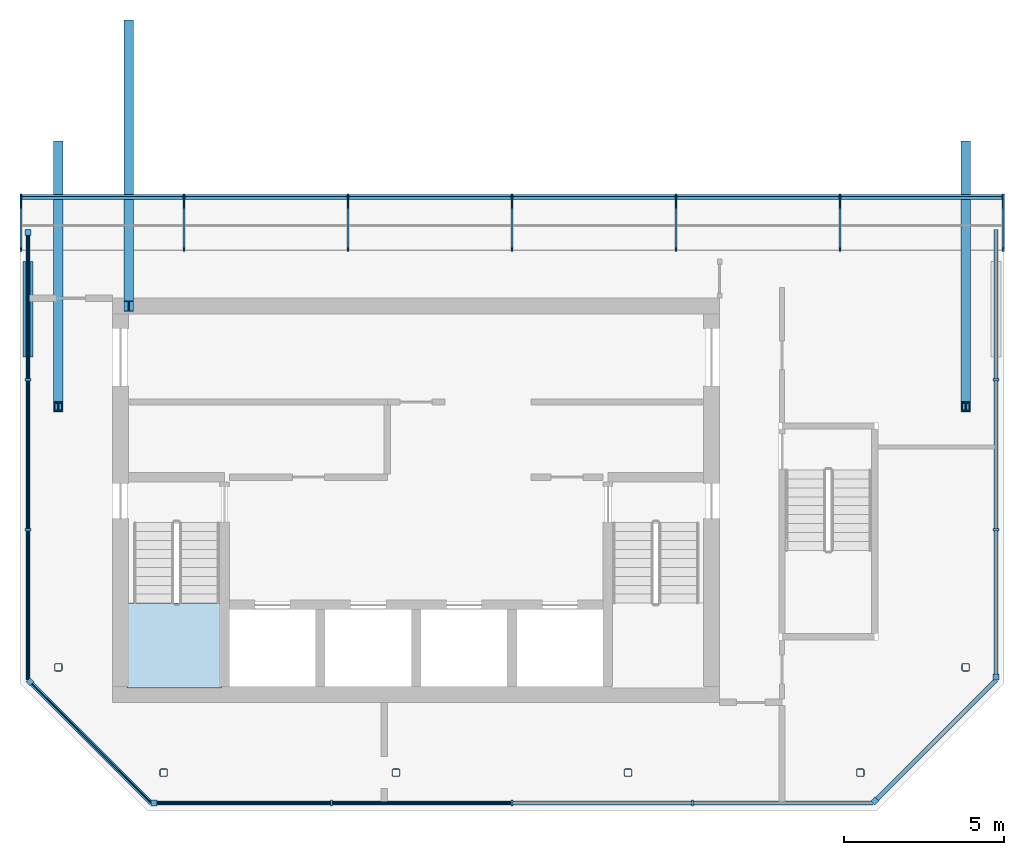
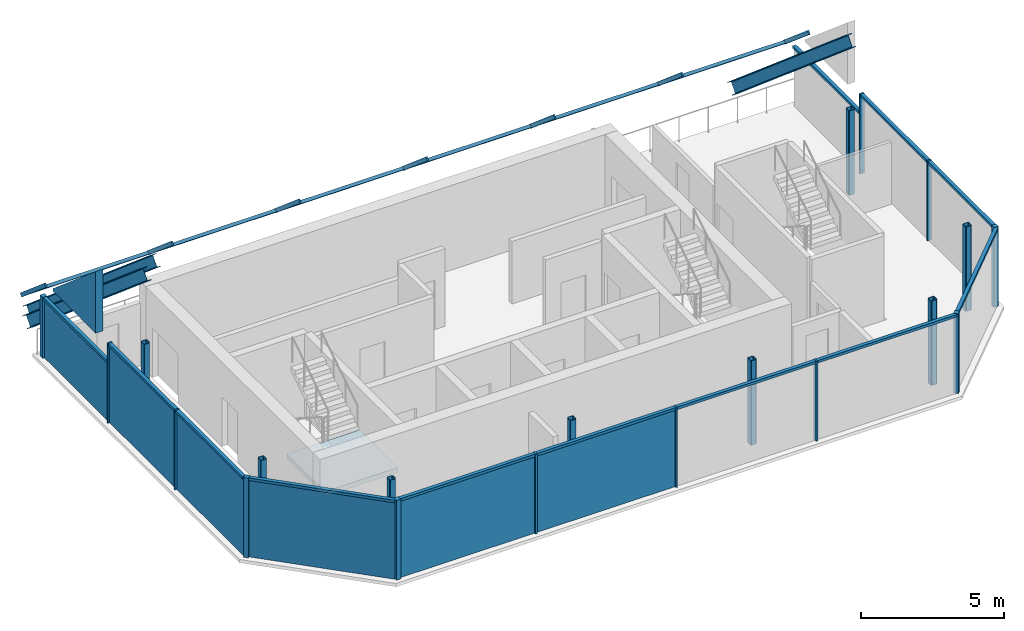
# One storey, part 1 of 4: 38 members, 8 columns, 7 plates, 2 beams, 1 slab, 7 elements without a shape of their own.
"""IFC4 building model written with IfcOpenShell, lengths in metres."""

from ifc_helpers import new_model, si_unit, direction, frame, origin, origin_2d, place, context, subcontext, project, spatial, polyline, rectangle, hollow_rectangle, i_section, outline, extrude, material, layer, layer_set, material_profile, profile_set, type_object, element, aggregate, save


model = new_model("IFC4")

# Units and contexts
model_context = context("Model", 3, precision=1e-05, world=origin(), true_north=direction((0.0, 1.0)))
body_context = subcontext(model_context, "Body", "Model", "MODEL_VIEW")
ifc_project = project(units=[si_unit("LENGTHUNIT", "METRE"), si_unit("AREAUNIT", "SQUARE_METRE"), si_unit("VOLUMEUNIT", "CUBIC_METRE"), si_unit("PLANEANGLEUNIT", "RADIAN"), si_unit("MASSUNIT", "GRAM", prefix="KILO")], contexts=[model_context])

# Site, building, storey
site_placement = place(None, origin())
site = spatial("IfcSite", under=ifc_project, at=site_placement, CompositionType="ELEMENT")
building_placement = place(site_placement, origin())
building = spatial("IfcBuilding", under=site, at=building_placement, Name="Tskaro Facet Tower", CompositionType="ELEMENT")
storey_placement = place(building_placement, frame((0.0, 0.0, 308.10009765625)))
storey = spatial("IfcBuildingStorey", under=building, at=storey_placement, Name="L83", CompositionType="ELEMENT", Elevation=308.10009765625)

# Columns
ifc_material_1 = material(Name="Steel S355J2H", Category="steel")
ifc_material_profile_1 = material_profile(ifc_material_1, hollow_rectangle(XDim=0.25, YDim=0.25, WallThickness=0.02001953125, InnerFilletRadius=0.030029296875, OuterFilletRadius=0.050048828125, at=origin_2d()), Name="SHS 250x250x20")
ifc_profile_set_1 = profile_set([ifc_material_profile_1], Name="Steel S355J2H")
column_type = type_object("IfcColumnType", Name="SHS 250x250x20 ring column", PredefinedType="COLUMN", material=ifc_profile_set_1)
for number, where, z_axis, x_axis, name in (
    (1, (-7.903076171875, -14.199951171875, 0.0), (0.0, 0.0, 1.0), (1.0, 0.0, 0.0), "SHS 250x250x20 RS-1/6"),
    (2, (-0.634033203125, -14.199951171875, 0.0), (0.0, 0.0, 1.0), (1.0, 0.0, 0.0), "SHS 250x250x20 RS-2/6"),
    (3, (6.634033203125, -14.199951171875, 0.0), (0.0, 0.0, 1.0), (1.0, 0.0, 0.0), "SHS 250x250x20 RS-3/6"),
    (4, (13.903076171875, -14.199951171875, 0.0), (0.0, 0.0, 1.0), (1.0, 0.0, 0.0), "SHS 250x250x20 RSE-1/6"),
    (5, (17.199951171875, -10.903076171875, 0.0), (0.0, 0.0, 1.0), (1.0, 0.0, 0.0), "SHS 250x250x20 RE-1/6"),
    (6, (17.199951171875, -2.75, 0.0), (0.0, 0.0, 1.0), (1.0, 0.0, 0.0), "SHS 250x250x20 RE-2/6"),
    (7, (-11.199951171875, -2.75, 0.0), (0.0, 0.0, 1.0), (1.0, 0.0, 0.0), "SHS 250x250x20 RW-2/6"),
    (8, (-11.199951171875, -10.903076171875, 0.0), (0.0, 0.0, 1.0), (1.0, 0.0, 0.0), "SHS 250x250x20 RSW-1/6"),
):
    element("IfcColumn", number, at=place(storey_placement, frame(where, z_axis=z_axis, x_axis=x_axis)), inside=storey, type_object=column_type, Name=name, PredefinedType="COLUMN", context=body_context, shape_type="SweptSolid", body=[
        extrude(hollow_rectangle(XDim=0.25, YDim=0.25, WallThickness=0.02001953125, InnerFilletRadius=0.030029296875, OuterFilletRadius=0.050048828125, at=origin_2d()), origin(), (0.0, 0.0, 1.0), 3.599853515625),
    ])

# Curtain wall, member
ifc_material_2 = material(Name="Bronze anodised aluminium 6063-T6", Category="aluminium")
curtain_wall_type_1 = type_object("IfcCurtainWallType", Name="Bronze crown curtain wall (FW5)", PredefinedType="NOTDEFINED", material=ifc_material_2)
curtain_wall_1_placement = place(storey_placement, origin())
curtain_wall_1 = element("IfcCurtainWall", 9, at=curtain_wall_1_placement, inside=storey, type_object=curtain_wall_type_1, Name="FW5 south facet L83", PredefinedType="NOTDEFINED")
ifc_material_profile_2 = material_profile(ifc_material_2, rectangle(XDim=0.179931640625, YDim=0.179931640625, at=origin_2d()), Name="Corner post 180x180")
ifc_profile_set_2 = profile_set([ifc_material_profile_2], Name="Bronze anodised aluminium 6063-T6")
member_type_1 = type_object("IfcMemberType", Name="FW5 bronze corner post 180x180", PredefinedType="MULLION", material=ifc_profile_set_2)
member_1_placement = place(storey_placement, frame((-8.2060546875, -15.14990234375, 0.0), z_axis=(0.0, 0.0, 1.0), x_axis=(1.0, 0.0, 0.0)))
member_1 = element("IfcMember", 10, at=member_1_placement, type_object=member_type_1, Name="FW5 south corner post", PredefinedType="MULLION", context=body_context, shape_type="SweptSolid", body=[
    extrude(rectangle(XDim=0.179931640625, YDim=0.179931640625, at=origin_2d()), origin(), (0.0, 0.0, 1.0), 3.39990234375),
])

curtain_wall_2_placement = place(storey_placement, origin())
curtain_wall_2 = element("IfcCurtainWall", 11, at=curtain_wall_2_placement, inside=storey, type_object=curtain_wall_type_1, Name="FW5 south-east facet L83", PredefinedType="NOTDEFINED")
member_2_placement = place(storey_placement, frame((14.359619140625, -15.08642578125, 0.0), z_axis=(0.0, 0.0, 1.0), x_axis=(0.707106781187, 0.707106781187, 0.0)))
member_2 = element("IfcMember", 12, at=member_2_placement, type_object=member_type_1, Name="FW5 south-east corner post", PredefinedType="MULLION", context=body_context, shape_type="SweptSolid", body=[
    extrude(rectangle(XDim=0.179931640625, YDim=0.179931640625, at=origin_2d()), origin(), (0.0, 0.0, 1.0), 3.39990234375),
])

curtain_wall_3_placement = place(storey_placement, origin())
curtain_wall_3 = element("IfcCurtainWall", 13, at=curtain_wall_3_placement, inside=storey, type_object=curtain_wall_type_1, Name="FW5 east facet L83", PredefinedType="NOTDEFINED")
member_3_placement = place(storey_placement, frame((18.14990234375, -11.2060546875, 0.0), z_axis=(0.0, 0.0, 1.0), x_axis=(0.0, 1.0, 0.0)))
member_3 = element("IfcMember", 14, at=member_3_placement, type_object=member_type_1, Name="FW5 east corner post", PredefinedType="MULLION", context=body_context, shape_type="SweptSolid", body=[
    extrude(rectangle(XDim=0.179931640625, YDim=0.179931640625, at=origin_2d()), origin(), (0.0, 0.0, 1.0), 3.39990234375),
])

curtain_wall_4_placement = place(storey_placement, origin())
curtain_wall_4 = element("IfcCurtainWall", 15, at=curtain_wall_4_placement, inside=storey, type_object=curtain_wall_type_1, Name="FW5 west facet L83", PredefinedType="NOTDEFINED")
member_4_placement = place(storey_placement, frame((-12.14990234375, 2.70703125, 0.0), z_axis=(0.0, 0.0, 1.0), x_axis=(0.0, -1.0, 0.0)))
member_4 = element("IfcMember", 16, at=member_4_placement, type_object=member_type_1, Name="FW5 west corner post", PredefinedType="MULLION", context=body_context, shape_type="SweptSolid", body=[
    extrude(rectangle(XDim=0.179931640625, YDim=0.179931640625, at=origin_2d()), origin(), (0.0, 0.0, 1.0), 2.599853515625),
])

curtain_wall_5_placement = place(storey_placement, origin())
curtain_wall_5 = element("IfcCurtainWall", 17, at=curtain_wall_5_placement, inside=storey, type_object=curtain_wall_type_1, Name="FW5 south-west facet L83", PredefinedType="NOTDEFINED")
member_5_placement = place(storey_placement, frame((-12.08642578125, -11.359619140625, 0.0), z_axis=(0.0, 0.0, 1.0), x_axis=(0.707106781187, -0.707106781187, 0.0)))
member_5 = element("IfcMember", 18, at=member_5_placement, type_object=member_type_1, Name="FW5 south-west corner post", PredefinedType="MULLION", context=body_context, shape_type="SweptSolid", body=[
    extrude(rectangle(XDim=0.179931640625, YDim=0.179931640625, at=origin_2d()), origin(), (0.0, 0.0, 1.0), 3.39990234375),
])

# Member
ifc_material_profile_3 = material_profile(ifc_material_2, rectangle(XDim=0.070068359375, YDim=0.179931640625, at=origin_2d()), Name="Mullion 70x180")
ifc_profile_set_3 = profile_set([ifc_material_profile_3], Name="Bronze anodised aluminium 6063-T6")
member_type_2 = type_object("IfcMemberType", Name="FW5 bronze mullion 70x180", PredefinedType="MULLION", material=ifc_profile_set_3)
member_6_placement = place(storey_placement, frame((-2.64794921875, -15.14990234375, 0.0), z_axis=(0.0, 0.0, 1.0), x_axis=(1.0, 0.0, 0.0)))
member_6 = element("IfcMember", 19, at=member_6_placement, type_object=member_type_2, Name="FW5 south mullion 1", PredefinedType="MULLION", context=body_context, shape_type="SweptSolid", body=[
    extrude(rectangle(XDim=0.070068359375, YDim=0.179931640625, at=origin_2d()), origin(), (0.0, 0.0, 1.0), 3.39990234375),
])

member_7_placement = place(storey_placement, frame((3.0, -15.14990234375, 0.0), z_axis=(0.0, 0.0, 1.0), x_axis=(1.0, 0.0, 0.0)))
member_7 = element("IfcMember", 20, at=member_7_placement, type_object=member_type_2, Name="FW5 south mullion 2", PredefinedType="MULLION", context=body_context, shape_type="SweptSolid", body=[
    extrude(rectangle(XDim=0.070068359375, YDim=0.179931640625, at=origin_2d()), origin(), (0.0, 0.0, 1.0), 3.39990234375),
])

member_8_placement = place(storey_placement, frame((8.64794921875, -15.14990234375, 0.0), z_axis=(0.0, 0.0, 1.0), x_axis=(1.0, 0.0, 0.0)))
member_8 = element("IfcMember", 21, at=member_8_placement, type_object=member_type_2, Name="FW5 south mullion 3", PredefinedType="MULLION", context=body_context, shape_type="SweptSolid", body=[
    extrude(rectangle(XDim=0.070068359375, YDim=0.179931640625, at=origin_2d()), origin(), (0.0, 0.0, 1.0), 3.39990234375),
])

member_9_placement = place(storey_placement, frame((18.14990234375, -6.598388671875, 0.0), z_axis=(0.0, 0.0, 1.0), x_axis=(0.0, 1.0, 0.0)))
member_9 = element("IfcMember", 22, at=member_9_placement, type_object=member_type_2, Name="FW5 east mullion 1", PredefinedType="MULLION", context=body_context, shape_type="SweptSolid", body=[
    extrude(rectangle(XDim=0.070068359375, YDim=0.179931640625, at=origin_2d()), origin(), (0.0, 0.0, 1.0), 3.39990234375),
])

member_10_placement = place(storey_placement, frame((18.14990234375, -1.900634765625, 0.0), z_axis=(0.0, 0.0, 1.0), x_axis=(0.0, 1.0, 0.0)))
member_10 = element("IfcMember", 23, at=member_10_placement, type_object=member_type_2, Name="FW5 east mullion 2", PredefinedType="MULLION", context=body_context, shape_type="SweptSolid", body=[
    extrude(rectangle(XDim=0.070068359375, YDim=0.179931640625, at=origin_2d()), origin(), (0.0, 0.0, 1.0), 3.39990234375),
])

member_11_placement = place(storey_placement, frame((-12.14990234375, -1.900634765625, 0.0), z_axis=(0.0, 0.0, 1.0), x_axis=(0.0, -1.0, 0.0)))
member_11 = element("IfcMember", 24, at=member_11_placement, type_object=member_type_2, Name="FW5 west mullion 1", PredefinedType="MULLION", context=body_context, shape_type="SweptSolid", body=[
    extrude(rectangle(XDim=0.070068359375, YDim=0.179931640625, at=origin_2d()), origin(), (0.0, 0.0, 1.0), 3.39990234375),
])

member_12_placement = place(storey_placement, frame((-12.14990234375, -6.598388671875, 0.0), z_axis=(0.0, 0.0, 1.0), x_axis=(0.0, -1.0, 0.0)))
member_12 = element("IfcMember", 25, at=member_12_placement, type_object=member_type_2, Name="FW5 west mullion 2", PredefinedType="MULLION", context=body_context, shape_type="SweptSolid", body=[
    extrude(rectangle(XDim=0.070068359375, YDim=0.179931640625, at=origin_2d()), origin(), (0.0, 0.0, 1.0), 3.39990234375),
])

ifc_material_profile_4 = material_profile(ifc_material_2, rectangle(XDim=0.139892578125, YDim=0.110107421875, at=origin_2d()), Name="Transom 140x110")
ifc_profile_set_4 = profile_set([ifc_material_profile_4], Name="Bronze anodised aluminium 6063-T6")
member_type_3 = type_object("IfcMemberType", Name="FW5 bronze transom 140x110", PredefinedType="USERDEFINED", material=ifc_profile_set_4)
member_13_placement = place(storey_placement, frame((-8.115966796875, -15.14990234375, 3.344970703125), z_axis=(1.0, 0.0, 0.0), x_axis=(0.0, 1.0, 0.0)))
member_13 = element("IfcMember", 26, at=member_13_placement, type_object=member_type_3, Name="FW5 south transom 1.1", ObjectType="TRANSOM", PredefinedType="USERDEFINED", context=body_context, shape_type="SweptSolid", body=[
    extrude(rectangle(XDim=0.139892578125, YDim=0.110107421875, at=origin_2d()), origin(), (0.0, 0.0, 1.0), 5.432861328125),
])

member_14_placement = place(storey_placement, frame((-2.613037109375, -15.14990234375, 3.344970703125), z_axis=(1.0, 0.0, 0.0), x_axis=(0.0, 1.0, 0.0)))
member_14 = element("IfcMember", 27, at=member_14_placement, type_object=member_type_3, Name="FW5 south transom 2.1", ObjectType="TRANSOM", PredefinedType="USERDEFINED", context=body_context, shape_type="SweptSolid", body=[
    extrude(rectangle(XDim=0.139892578125, YDim=0.110107421875, at=origin_2d()), origin(), (0.0, 0.0, 1.0), 5.578125),
])

member_15_placement = place(storey_placement, frame((3.034912109375, -15.14990234375, 3.344970703125), z_axis=(1.0, 0.0, 0.0), x_axis=(0.0, 1.0, 0.0)))
member_15 = element("IfcMember", 28, at=member_15_placement, type_object=member_type_3, Name="FW5 south transom 3.1", ObjectType="TRANSOM", PredefinedType="USERDEFINED", context=body_context, shape_type="SweptSolid", body=[
    extrude(rectangle(XDim=0.139892578125, YDim=0.110107421875, at=origin_2d()), origin(), (0.0, 0.0, 1.0), 5.578125),
])

member_16_placement = place(storey_placement, frame((8.68310546875, -15.14990234375, 3.344970703125), z_axis=(1.0, 0.0, 0.0), x_axis=(0.0, 1.0, 0.0)))
member_16 = element("IfcMember", 29, at=member_16_placement, type_object=member_type_3, Name="FW5 south transom 4.1", ObjectType="TRANSOM", PredefinedType="USERDEFINED", context=body_context, shape_type="SweptSolid", body=[
    extrude(rectangle(XDim=0.139892578125, YDim=0.110107421875, at=origin_2d()), origin(), (0.0, 0.0, 1.0), 5.61279296875),
])

member_17_placement = place(storey_placement, frame((14.42333984375, -15.022705078125, 3.344970703125), z_axis=(0.707083619001, 0.707129942613, 0.0), x_axis=(-0.707129942613, 0.707083619001, 0.0)))
member_17 = element("IfcMember", 30, at=member_17_placement, type_object=member_type_3, Name="FW5 south-east transom 1.1", ObjectType="TRANSOM", PredefinedType="USERDEFINED", context=body_context, shape_type="SweptSolid", body=[
    extrude(rectangle(XDim=0.139892578125, YDim=0.110107421875, at=origin_2d()), origin(), (0.0, 0.0, 1.0), 5.270263671875),
])

aggregate(curtain_wall_2, [member_2, member_17])

member_18_placement = place(storey_placement, frame((18.14990234375, -11.115966796875, 3.344970703125), z_axis=(0.0, 1.0, 0.0), x_axis=(-1.0, 0.0, 0.0)))
member_18 = element("IfcMember", 31, at=member_18_placement, type_object=member_type_3, Name="FW5 east transom 1.1", ObjectType="TRANSOM", PredefinedType="USERDEFINED", context=body_context, shape_type="SweptSolid", body=[
    extrude(rectangle(XDim=0.139892578125, YDim=0.110107421875, at=origin_2d()), origin(), (0.0, 0.0, 1.0), 4.482666015625),
])

member_19_placement = place(storey_placement, frame((18.14990234375, -6.563232421875, 3.344970703125), z_axis=(0.0, 1.0, 0.0), x_axis=(-1.0, 0.0, 0.0)))
member_19 = element("IfcMember", 32, at=member_19_placement, type_object=member_type_3, Name="FW5 east transom 2.1", ObjectType="TRANSOM", PredefinedType="USERDEFINED", context=body_context, shape_type="SweptSolid", body=[
    extrude(rectangle(XDim=0.139892578125, YDim=0.110107421875, at=origin_2d()), origin(), (0.0, 0.0, 1.0), 4.627685546875),
])

member_20_placement = place(storey_placement, frame((18.14990234375, -1.86572265625, 2.544921875), z_axis=(0.0, 1.0, 0.0), x_axis=(-1.0, 0.0, 0.0)))
member_20 = element("IfcMember", 33, at=member_20_placement, type_object=member_type_3, Name="FW5 east transom 3.1", ObjectType="TRANSOM", PredefinedType="USERDEFINED", context=body_context, shape_type="SweptSolid", body=[
    extrude(rectangle(XDim=0.139892578125, YDim=0.110107421875, at=origin_2d()), origin(), (0.0, 0.0, 1.0), 4.662841796875),
])

aggregate(curtain_wall_3, [member_3, member_9, member_10, member_18, member_19, member_20])

member_21_placement = place(storey_placement, frame((-12.14990234375, 2.616943359375, 2.544921875), z_axis=(0.0, -1.0, 0.0), x_axis=(1.0, 0.0, 0.0)))
member_21 = element("IfcMember", 34, at=member_21_placement, type_object=member_type_3, Name="FW5 west transom 1.1", ObjectType="TRANSOM", PredefinedType="USERDEFINED", context=body_context, shape_type="SweptSolid", body=[
    extrude(rectangle(XDim=0.139892578125, YDim=0.110107421875, at=origin_2d()), origin(), (0.0, 0.0, 1.0), 4.482666015625),
])

member_22_placement = place(storey_placement, frame((-12.14990234375, -1.935546875, 3.344970703125), z_axis=(0.0, -1.0, 0.0), x_axis=(1.0, 0.0, 0.0)))
member_22 = element("IfcMember", 35, at=member_22_placement, type_object=member_type_3, Name="FW5 west transom 2.1", ObjectType="TRANSOM", PredefinedType="USERDEFINED", context=body_context, shape_type="SweptSolid", body=[
    extrude(rectangle(XDim=0.139892578125, YDim=0.110107421875, at=origin_2d()), origin(), (0.0, 0.0, 1.0), 4.627685546875),
])

member_23_placement = place(storey_placement, frame((-12.14990234375, -6.63330078125, 3.344970703125), z_axis=(0.0, -1.0, 0.0), x_axis=(1.0, 0.0, 0.0)))
member_23 = element("IfcMember", 36, at=member_23_placement, type_object=member_type_3, Name="FW5 west transom 3.1", ObjectType="TRANSOM", PredefinedType="USERDEFINED", context=body_context, shape_type="SweptSolid", body=[
    extrude(rectangle(XDim=0.139892578125, YDim=0.110107421875, at=origin_2d()), origin(), (0.0, 0.0, 1.0), 4.66259765625),
])

member_24_placement = place(storey_placement, frame((-12.022705078125, -11.42333984375, 3.344970703125), z_axis=(0.707129942613, -0.707083619001, 0.0), x_axis=(0.707083619001, 0.707129942613, 0.0)))
member_24 = element("IfcMember", 37, at=member_24_placement, type_object=member_type_3, Name="FW5 south-west transom 1.1", ObjectType="TRANSOM", PredefinedType="USERDEFINED", context=body_context, shape_type="SweptSolid", body=[
    extrude(rectangle(XDim=0.139892578125, YDim=0.110107421875, at=origin_2d()), origin(), (0.0, 0.0, 1.0), 5.270263671875),
])

# Curtain wall, members
curtain_wall_type_2 = type_object("IfcCurtainWallType", Name="Bronze crown roof glazing (FW6)", PredefinedType="NOTDEFINED", material=ifc_material_2)
curtain_wall_6_placement = place(storey_placement, origin())
curtain_wall_6 = element("IfcCurtainWall", 38, at=curtain_wall_6_placement, inside=storey, type_object=curtain_wall_type_2, Name="FW6 roof glazing strip 5", PredefinedType="NOTDEFINED")
ifc_material_profile_5 = material_profile(ifc_material_2, rectangle(XDim=0.06005859375, YDim=0.159912109375, at=origin_2d()), Name="Mullion 60x160")
ifc_profile_set_5 = profile_set([ifc_material_profile_5], Name="Bronze anodised aluminium 6063-T6")
member_type_4 = type_object("IfcMemberType", Name="FW6 bronze mullion 60x160", PredefinedType="MULLION", material=ifc_profile_set_5)
member_25_placement = place(storey_placement, frame((-12.3701171875, 2.166748046875, 3.4482421875), z_axis=(0.0, 0.761915018562, -0.6476770063), x_axis=(-1.0, 0.0, 0.0)))
member_25 = element("IfcMember", 39, at=member_25_placement, type_object=member_type_4, Name="FW6 roof mullion 5.1", PredefinedType="MULLION", context=body_context, shape_type="SweptSolid", body=[
    extrude(rectangle(XDim=0.06005859375, YDim=0.159912109375, at=origin_2d()), origin(), (0.0, 0.0, 1.0), 2.231201171875),
])
member_26_placement = place(storey_placement, frame((-7.2666015625, 2.166748046875, 3.4482421875), z_axis=(0.0, 0.761915018562, -0.6476770063), x_axis=(-1.0, 0.0, 0.0)))
member_26 = element("IfcMember", 40, at=member_26_placement, type_object=member_type_4, Name="FW6 roof mullion 5.2", PredefinedType="MULLION", context=body_context, shape_type="SweptSolid", body=[
    extrude(rectangle(XDim=0.06005859375, YDim=0.159912109375, at=origin_2d()), origin(), (0.0, 0.0, 1.0), 2.231201171875),
])
member_27_placement = place(storey_placement, frame((-2.13330078125, 2.166748046875, 3.4482421875), z_axis=(0.0, 0.761915018562, -0.6476770063), x_axis=(-1.0, 0.0, 0.0)))
member_27 = element("IfcMember", 41, at=member_27_placement, type_object=member_type_4, Name="FW6 roof mullion 5.3", PredefinedType="MULLION", context=body_context, shape_type="SweptSolid", body=[
    extrude(rectangle(XDim=0.06005859375, YDim=0.159912109375, at=origin_2d()), origin(), (0.0, 0.0, 1.0), 2.231201171875),
])
member_28_placement = place(storey_placement, frame((3.0, 2.166748046875, 3.4482421875), z_axis=(0.0, 0.761915018562, -0.6476770063), x_axis=(-1.0, 0.0, 0.0)))
member_28 = element("IfcMember", 42, at=member_28_placement, type_object=member_type_4, Name="FW6 roof mullion 5.4", PredefinedType="MULLION", context=body_context, shape_type="SweptSolid", body=[
    extrude(rectangle(XDim=0.06005859375, YDim=0.159912109375, at=origin_2d()), origin(), (0.0, 0.0, 1.0), 2.231201171875),
])
member_29_placement = place(storey_placement, frame((8.13330078125, 2.166748046875, 3.4482421875), z_axis=(0.0, 0.761915018562, -0.6476770063), x_axis=(-1.0, 0.0, 0.0)))
member_29 = element("IfcMember", 43, at=member_29_placement, type_object=member_type_4, Name="FW6 roof mullion 5.5", PredefinedType="MULLION", context=body_context, shape_type="SweptSolid", body=[
    extrude(rectangle(XDim=0.06005859375, YDim=0.159912109375, at=origin_2d()), origin(), (0.0, 0.0, 1.0), 2.231201171875),
])
member_30_placement = place(storey_placement, frame((13.2666015625, 2.166748046875, 3.4482421875), z_axis=(0.0, 0.761915018562, -0.6476770063), x_axis=(-1.0, 0.0, 0.0)))
member_30 = element("IfcMember", 44, at=member_30_placement, type_object=member_type_4, Name="FW6 roof mullion 5.6", PredefinedType="MULLION", context=body_context, shape_type="SweptSolid", body=[
    extrude(rectangle(XDim=0.06005859375, YDim=0.159912109375, at=origin_2d()), origin(), (0.0, 0.0, 1.0), 2.231201171875),
])
member_31_placement = place(storey_placement, frame((18.3701171875, 2.166748046875, 3.4482421875), z_axis=(0.0, 0.761915018562, -0.6476770063), x_axis=(-1.0, 0.0, 0.0)))
member_31 = element("IfcMember", 45, at=member_31_placement, type_object=member_type_4, Name="FW6 roof mullion 5.7", PredefinedType="MULLION", context=body_context, shape_type="SweptSolid", body=[
    extrude(rectangle(XDim=0.06005859375, YDim=0.159912109375, at=origin_2d()), origin(), (0.0, 0.0, 1.0), 2.231201171875),
])
ifc_material_profile_6 = material_profile(ifc_material_2, rectangle(XDim=0.1201171875, YDim=0.10009765625, at=origin_2d()), Name="Transom 120x100")
ifc_profile_set_6 = profile_set([ifc_material_profile_6], Name="Bronze anodised aluminium 6063-T6")
member_type_5 = type_object("IfcMemberType", Name="FW6 bronze transom 120x100", PredefinedType="USERDEFINED", material=ifc_profile_set_6)
member_32_placement = place(storey_placement, frame((-12.3701171875, 3.821044921875, 2.0419921875), z_axis=(1.0, 0.0, 0.0), x_axis=(0.0, 0.761939317761, 0.647648420094)))
member_32 = element("IfcMember", 46, at=member_32_placement, type_object=member_type_5, Name="FW6 roof transom 5.1", ObjectType="TRANSOM", PredefinedType="USERDEFINED", context=body_context, shape_type="SweptSolid", body=[
    extrude(rectangle(XDim=0.1201171875, YDim=0.10009765625, at=origin_2d()), origin(), (0.0, 0.0, 1.0), 5.073486328125),
])
member_33_placement = place(storey_placement, frame((-7.236572265625, 3.821044921875, 2.0419921875), z_axis=(1.0, 0.0, 0.0), x_axis=(0.0, 0.761939317761, 0.647648420094)))
member_33 = element("IfcMember", 47, at=member_33_placement, type_object=member_type_5, Name="FW6 roof transom 5.2", ObjectType="TRANSOM", PredefinedType="USERDEFINED", context=body_context, shape_type="SweptSolid", body=[
    extrude(rectangle(XDim=0.1201171875, YDim=0.10009765625, at=origin_2d()), origin(), (0.0, 0.0, 1.0), 5.0732421875),
])
member_34_placement = place(storey_placement, frame((-2.103271484375, 3.821044921875, 2.0419921875), z_axis=(1.0, 0.0, 0.0), x_axis=(0.0, 0.761939317761, 0.647648420094)))
member_34 = element("IfcMember", 48, at=member_34_placement, type_object=member_type_5, Name="FW6 roof transom 5.3", ObjectType="TRANSOM", PredefinedType="USERDEFINED", context=body_context, shape_type="SweptSolid", body=[
    extrude(rectangle(XDim=0.1201171875, YDim=0.10009765625, at=origin_2d()), origin(), (0.0, 0.0, 1.0), 5.0732421875),
])
member_35_placement = place(storey_placement, frame((3.030029296875, 3.821044921875, 2.0419921875), z_axis=(1.0, 0.0, 0.0), x_axis=(0.0, 0.761939317761, 0.647648420094)))
member_35 = element("IfcMember", 49, at=member_35_placement, type_object=member_type_5, Name="FW6 roof transom 5.4", ObjectType="TRANSOM", PredefinedType="USERDEFINED", context=body_context, shape_type="SweptSolid", body=[
    extrude(rectangle(XDim=0.1201171875, YDim=0.10009765625, at=origin_2d()), origin(), (0.0, 0.0, 1.0), 5.0732421875),
])
member_36_placement = place(storey_placement, frame((8.163330078125, 3.821044921875, 2.0419921875), z_axis=(1.0, 0.0, 0.0), x_axis=(0.0, 0.761939317761, 0.647648420094)))
member_36 = element("IfcMember", 50, at=member_36_placement, type_object=member_type_5, Name="FW6 roof transom 5.5", ObjectType="TRANSOM", PredefinedType="USERDEFINED", context=body_context, shape_type="SweptSolid", body=[
    extrude(rectangle(XDim=0.1201171875, YDim=0.10009765625, at=origin_2d()), origin(), (0.0, 0.0, 1.0), 5.0732421875),
])
member_37_placement = place(storey_placement, frame((13.296630859375, 3.821044921875, 2.0419921875), z_axis=(1.0, 0.0, 0.0), x_axis=(0.0, 0.761939317761, 0.647648420094)))
member_37 = element("IfcMember", 51, at=member_37_placement, type_object=member_type_5, Name="FW6 roof transom 5.6", ObjectType="TRANSOM", PredefinedType="USERDEFINED", context=body_context, shape_type="SweptSolid", body=[
    extrude(rectangle(XDim=0.1201171875, YDim=0.10009765625, at=origin_2d()), origin(), (0.0, 0.0, 1.0), 5.073486328125),
])
aggregate(curtain_wall_6, [member_25, member_26, member_27, member_28, member_29, member_30, member_31, member_32, member_33, member_34, member_35, member_36, member_37])

# Member
ifc_material_3 = material(Name="Steel S355J2", Category="steel")
ifc_material_profile_7 = material_profile(ifc_material_3, i_section(OverallWidth=0.300048828125, OverallDepth=0.489990234375, WebThickness=0.011962890625, FlangeThickness=0.02294921875, FilletRadius=0.027099609375, at=origin_2d()), Name="HE 500 A")
ifc_profile_set_7 = profile_set([ifc_material_profile_7], Name="Steel S355J2")
member_type_6 = type_object("IfcMemberType", Name="HE 500 A rafter", PredefinedType="RAFTER", material=ifc_profile_set_7)
member_38_placement = place(storey_placement, frame((-9.0, 0.39990234375, 4.365966796875), z_axis=(0.0, 0.761941925567, -0.647645352074), x_axis=(-1.0, 0.0, 0.0)))
element("IfcMember", 52, at=member_38_placement, inside=storey, type_object=member_type_6, Name="HE 500 A RF1-2/6", PredefinedType="RAFTER", context=body_context, shape_type="SweptSolid", body=[
    extrude(i_section(OverallWidth=0.300048828125, OverallDepth=0.489990234375, WebThickness=0.011962890625, FlangeThickness=0.02294921875, FilletRadius=0.027099609375, at=origin_2d()), origin(), (0.0, 0.0, 1.0), 11.549560546875),
])

# Beams
ifc_material_profile_8 = material_profile(ifc_material_3, i_section(OverallWidth=0.300048828125, OverallDepth=0.5, WebThickness=0.014404296875, FlangeThickness=0.028076171875, FilletRadius=0.027099609375, at=origin_2d()), Name="HE 500 B")
ifc_profile_set_8 = profile_set([ifc_material_profile_8], Name="Steel S355J2")
beam_type = type_object("IfcBeamType", Name="HE 500 B roof ring beam", PredefinedType="BEAM", material=ifc_profile_set_8)
for number, where, z_axis, x_axis, name in (
    (53, (17.199951171875, -2.75, 6.471923828125), (0.0, 0.76193650302, -0.647651731539), (-1.0, 0.0, 0.0), "HE 500 B RB6-6"),
    (54, (-11.199951171875, 5.403076171875, -0.458251953125), (0.0, -0.76193650302, 0.647651731539), (1.0, 0.0, 0.0), "HE 500 B RB13-6"),
):
    element("IfcBeam", number, at=place(storey_placement, frame(where, z_axis=z_axis, x_axis=x_axis)), inside=storey, type_object=beam_type, Name=name, PredefinedType="BEAM", context=body_context, shape_type="SweptSolid", body=[
        extrude(i_section(OverallWidth=0.300048828125, OverallDepth=0.5, WebThickness=0.014404296875, FlangeThickness=0.028076171875, FilletRadius=0.027099609375, at=origin_2d()), origin(), (0.0, 0.0, 1.0), 10.700439453125),
    ])

# Plate
ifc_material_4 = material(Name="Bronze anodised aluminium cladding 5005-H34", Category="aluminium")
ifc_layer_1 = layer(ifc_material_4, 0.300048828125, Name="Bronze anodised aluminium cladding 5005-H34")
ifc_layer_set_1 = layer_set([ifc_layer_1], Name="Bronze anodised aluminium cladding 5005-H34")
plate_type_1 = type_object("IfcPlateType", Name="Crown cladding panel", PredefinedType="SHEET", material=ifc_layer_set_1)
plate_1_placement = place(storey_placement, frame((-12.14990234375, 1.797119140625, 3.39990234375), z_axis=(0.0, 0.0, 1.0), x_axis=(0.0, -1.0, 0.0)))
element("IfcPlate", 55, at=plate_1_placement, inside=storey, type_object=plate_type_1, Name="Crown cladding panel west L83", PredefinedType="SHEET", context=body_context, shape_type="SweptSolid", body=[
    extrude(outline(polyline([(0.0, 0.0), (2.98046875, 0.0), (2.980224609375, 2.63330078125), (0.0, 0.10009765625), (0.0, 0.0)])), frame((0.0, 0.14990234375, 0.0), z_axis=(0.0, -1.0, 0.0), x_axis=(1.0, 0.0, 0.0)), (0.0, 0.0, 1.0), 0.300048828125),
])

ifc_material_5 = material(Name="Bronze reflective glass", Category="glass")
ifc_layer_2 = layer(ifc_material_5, 0.033935546875, Name="Bronze reflective glass")
ifc_layer_set_2 = layer_set([ifc_layer_2], Name="Bronze reflective glass")
plate_type_2 = type_object("IfcPlateType", Name="FW5 bronze-tinted unit glazing 34", PredefinedType="CURTAIN_PANEL", material=ifc_layer_set_2)
plate_2_placement = place(storey_placement, frame((-5.3994140625, -15.14990234375, 0.0), z_axis=(0.0, 0.0, 1.0), x_axis=(1.0, 0.0, 0.0)))
plate_2 = element("IfcPlate", 56, at=plate_2_placement, type_object=plate_type_2, Name="FW5 south glazing 1.1", PredefinedType="CURTAIN_PANEL", context=body_context, shape_type="SweptSolid", body=[
    extrude(rectangle(XDim=5.43310546875, YDim=0.033935546875, at=origin_2d()), origin(), (0.0, 0.0, 1.0), 3.2900390625),
])

plate_3_placement = place(storey_placement, frame((0.176025390625, -15.14990234375, 0.0), z_axis=(0.0, 0.0, 1.0), x_axis=(1.0, 0.0, 0.0)))
plate_3 = element("IfcPlate", 57, at=plate_3_placement, type_object=plate_type_2, Name="FW5 south glazing 2.1", PredefinedType="CURTAIN_PANEL", context=body_context, shape_type="SweptSolid", body=[
    extrude(rectangle(XDim=5.577880859375, YDim=0.033935546875, at=origin_2d()), origin(), (0.0, 0.0, 1.0), 3.2900390625),
])

aggregate(curtain_wall_1, [member_1, member_6, member_7, member_8, member_13, plate_2, member_14, plate_3, member_15, member_16])

plate_4_placement = place(storey_placement, frame((-12.14990234375, 0.375732421875, 0.0), z_axis=(0.0, 0.0, 1.0), x_axis=(0.0, -1.0, 0.0)))
plate_4 = element("IfcPlate", 58, at=plate_4_placement, type_object=plate_type_2, Name="FW5 west glazing 1.1", PredefinedType="CURTAIN_PANEL", context=body_context, shape_type="SweptSolid", body=[
    extrude(rectangle(XDim=4.482666015625, YDim=0.033935546875, at=origin_2d()), origin(), (0.0, 0.0, 1.0), 2.489990234375),
])

plate_5_placement = place(storey_placement, frame((-12.14990234375, -4.24951171875, 0.0), z_axis=(0.0, 0.0, 1.0), x_axis=(0.0, -1.0, 0.0)))
plate_5 = element("IfcPlate", 59, at=plate_5_placement, type_object=plate_type_2, Name="FW5 west glazing 2.1", PredefinedType="CURTAIN_PANEL", context=body_context, shape_type="SweptSolid", body=[
    extrude(rectangle(XDim=4.627685546875, YDim=0.033935546875, at=origin_2d()), origin(), (0.0, 0.0, 1.0), 3.2900390625),
])

plate_6_placement = place(storey_placement, frame((-12.14990234375, -8.964599609375, 0.0), z_axis=(0.0, 0.0, 1.0), x_axis=(0.0, -1.0, 0.0)))
plate_6 = element("IfcPlate", 60, at=plate_6_placement, type_object=plate_type_2, Name="FW5 west glazing 3.1", PredefinedType="CURTAIN_PANEL", context=body_context, shape_type="SweptSolid", body=[
    extrude(rectangle(XDim=4.66259765625, YDim=0.033935546875, at=origin_2d()), origin(), (0.0, 0.0, 1.0), 3.2900390625),
])

aggregate(curtain_wall_4, [member_4, member_11, member_12, member_21, plate_4, member_22, plate_5, member_23, plate_6])

plate_7_placement = place(storey_placement, frame((-10.159423828125, -13.28662109375, 0.0), z_axis=(0.0, 0.0, 1.0), x_axis=(0.707106781187, -0.707106781187, 0.0)))
plate_7 = element("IfcPlate", 61, at=plate_7_placement, type_object=plate_type_2, Name="FW5 south-west glazing 1.1", PredefinedType="CURTAIN_PANEL", context=body_context, shape_type="SweptSolid", body=[
    extrude(rectangle(XDim=5.270263671875, YDim=0.033935546875, at=origin_2d()), origin(), (0.0, 0.0, 1.0), 3.2900390625),
])

aggregate(curtain_wall_5, [member_5, member_24, plate_7])

# Stair, slab
ifc_material_6 = material(Name="Concrete C40/50", Category="concrete")
stair_type = type_object("IfcStairType", Name="ST-TWR", PredefinedType="HALF_TURN_STAIR", material=ifc_material_6)
stair_placement = place(storey_placement, origin())
stair = element("IfcStair", 62, at=stair_placement, inside=storey, type_object=stair_type, Name="L83 Exit stair 1", PredefinedType="HALF_TURN_STAIR")
ifc_layer_3 = layer(ifc_material_6, 0.199951171875, Name="Concrete C40/50")
ifc_layer_set_3 = layer_set([ifc_layer_3], Name="Concrete C40/50")
slab_type = type_object("IfcSlabType", Name="SL-LANDING", PredefinedType="LANDING", material=ifc_layer_set_3)
slab_placement = place(storey_placement, frame((0.0, 0.0, 1.599853515625)))
slab = element("IfcSlab", 63, at=slab_placement, type_object=slab_type, Name="ST-1 landing 1", PredefinedType="LANDING", context=body_context, shape_type="SweptSolid", body=[
    extrude(outline(polyline([(-9.050048828125, -11.550048828125), (-6.10009765625, -11.550048828125), (-6.10009765625, -8.89501953125), (-9.050048828125, -8.89501953125), (-9.050048828125, -11.550048828125)])), origin(), (0.0, 0.0, 1.0), 0.199951171875),
])
aggregate(stair, [slab])

save(model, "model.ifc")
